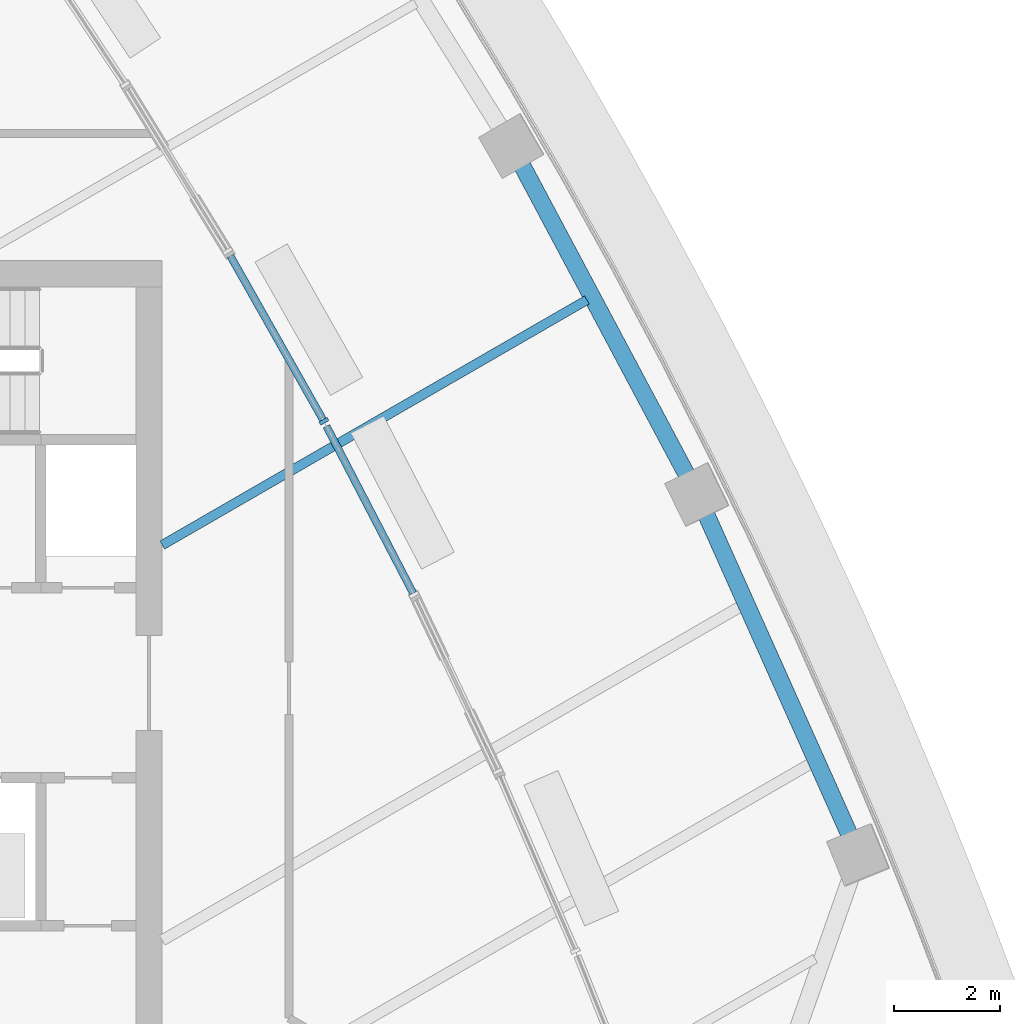
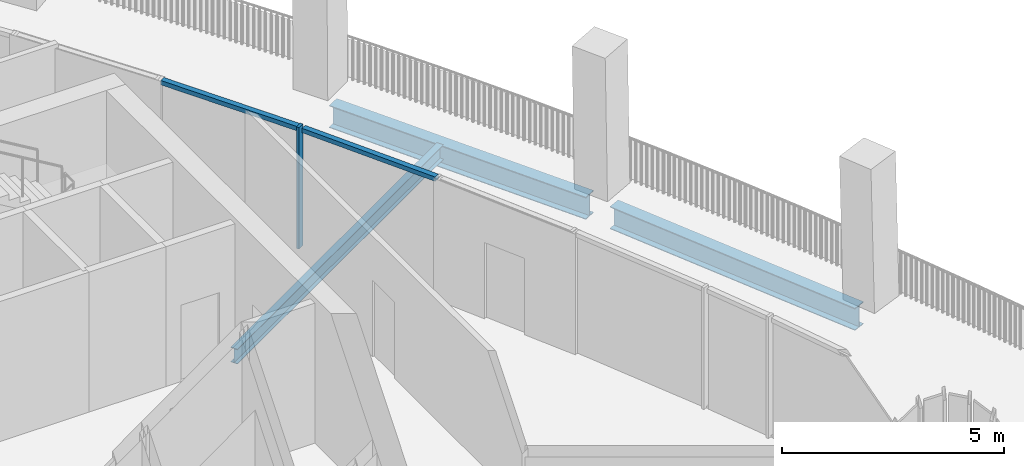
# One storey, part 5 of 20: 3 beams, 3 members, 2 elements without a shape of their own.
"""IFC4 building model written with IfcOpenShell, lengths in metres."""

import ifcopenshell
import ifcopenshell.guid

model = None  # the IFC model being written
_history = None  # IfcOwnerHistory: only IFC2X3 demands one
_inside = {}  # id of a spatial element -> (the spatial element, [elements in it])
_under = {}  # id of a project, library or spatial element -> (it, [spatial elements below it])
_declared = {}  # id of a project -> (the project, [libraries it declares])
_typed = {}  # id of a type object -> (the type object, [elements of that type])
_made_of = {}  # id of a material, layer set ... -> (it, [elements and type objects made of it])


def new_model(schema):
    """Start an empty IFC model of exactly this schema.

    Asked for "IFC4X3", IfcOpenShell would pick the latest addendum, in which some entities
    have other attributes; the version numbers below select the first issue.
    IFC2X3 requires an IfcOwnerHistory on every rooted entity: one is made here for all.
    """
    global model, _history
    if schema == "IFC4X3":
        model = ifcopenshell.file(schema_version=(4, 3, 0, 0))
    else:
        model = ifcopenshell.file(schema=schema)
    _inside.clear()
    _under.clear()
    _declared.clear()
    _typed.clear()
    _made_of.clear()
    _history = None
    if model.schema == "IFC2X3":
        org = make("IfcOrganization", Name="unknown")
        user = make(
            "IfcPersonAndOrganization",
            ThePerson=make("IfcPerson", FamilyName="unknown"),
            TheOrganization=org,
        )
        app = make(
            "IfcApplication",
            ApplicationDeveloper=org,
            Version="unknown",
            ApplicationFullName="unknown",
            ApplicationIdentifier="unknown",
        )
        _history = make(
            "IfcOwnerHistory",
            OwningUser=user,
            OwningApplication=app,
            ChangeAction="ADDED",
            CreationDate=0,
        )
    return model


def make(cls, **values):
    """One entity of the class cls with the attributes given. An attribute that is None is left unset."""
    return model.create_entity(
        cls, **{name: value for name, value in values.items() if value is not None}
    )


def rooted(cls, **values):
    """An entity with a GlobalId (a new one), such as an element, a storey or a relation."""
    return make(cls, GlobalId=ifcopenshell.guid.new(), OwnerHistory=_history, **values)


def si_unit(unit_type, name, prefix=None):
    """IfcSIUnit, for example si_unit("LENGTHUNIT", "METRE", prefix="MILLI")."""
    return make("IfcSIUnit", UnitType=unit_type, Prefix=prefix, Name=name)


def assignment(units):
    """IfcUnitAssignment: the units of a project."""
    return None if units is None else make("IfcUnitAssignment", Units=units)


def point(xyz):
    """IfcCartesianPoint."""
    return None if xyz is None else make("IfcCartesianPoint", Coordinates=xyz)


def direction(xyz):
    """IfcDirection."""
    return None if xyz is None else make("IfcDirection", DirectionRatios=xyz)


def frame(location, z_axis=None, x_axis=None):
    """IfcAxis2Placement3D, a coordinate frame: its origin and axes. An axis left out is left unset."""
    return make(
        "IfcAxis2Placement3D",
        Location=point(location),
        Axis=direction(z_axis),
        RefDirection=direction(x_axis),
    )


def frame_2d(location, x_axis=None):
    """IfcAxis2Placement2D, a coordinate frame in the plane: its origin and x axis."""
    return make(
        "IfcAxis2Placement2D", Location=point(location), RefDirection=direction(x_axis)
    )


def origin():
    """The frame at (0, 0, 0) with its axes left unset."""
    return frame((0.0, 0.0, 0.0))


def origin_2d():
    """The frame at (0, 0) in the plane with its x axis left unset."""
    return frame_2d((0.0, 0.0))


def place(relative_to, where):
    """IfcLocalPlacement: puts the frame where relative to a parent placement (None: the world)."""
    return make(
        "IfcLocalPlacement", PlacementRelTo=relative_to, RelativePlacement=where
    )


def context(
    kind, dimensions, precision=None, world=None, true_north=None, identifier=None
):
    """IfcGeometricRepresentationContext, for example the 3D "Model" context."""
    return make(
        "IfcGeometricRepresentationContext",
        ContextIdentifier=identifier,
        ContextType=kind,
        CoordinateSpaceDimension=dimensions,
        Precision=precision,
        WorldCoordinateSystem=world,
        TrueNorth=true_north,
    )


def subcontext(parent, identifier, kind, view, scale=None):
    """IfcGeometricRepresentationSubContext, for example "Body" below "Model"."""
    return make(
        "IfcGeometricRepresentationSubContext",
        ContextIdentifier=identifier,
        ContextType=kind,
        ParentContext=parent,
        TargetScale=scale,
        TargetView=view,
    )


def project(units=None, contexts=None):
    """IfcProject with its units and contexts."""
    return rooted(
        "IfcProject",
        Name="project",
        RepresentationContexts=contexts,
        UnitsInContext=assignment(units),
    )


def spatial(cls, under=None, at=None, **own):
    """A site, building, storey or space (cls), placed at a placement, below another one or the project."""
    s = rooted(cls, ObjectPlacement=at, **own)
    if under is not None:
        _under.setdefault(under.id(), (under, []))[1].append(s)
    return s


def profile(cls, at=None, kind="AREA", **sizes):
    """A parametric profile (cls). Its sizes go by their IFC names, for example OverallWidth=200.0."""
    return make(cls, ProfileType=kind, Position=at, **sizes)


def rectangle(**sizes):
    """IfcRectangleProfileDef."""
    return profile("IfcRectangleProfileDef", **sizes)


def i_section(**sizes):
    """IfcIShapeProfileDef."""
    return profile("IfcIShapeProfileDef", **sizes)


def extrude(swept, where, along, depth):
    """IfcExtrudedAreaSolid: the profile swept, set in the frame where, extruded along a direction by depth."""
    return make(
        "IfcExtrudedAreaSolid",
        SweptArea=swept,
        Position=where,
        ExtrudedDirection=direction(along),
        Depth=depth,
    )


def shape(context_of_items, identifier, shape_type, items):
    """IfcShapeRepresentation: the items that make up one representation, for example the "Body"."""
    return make(
        "IfcShapeRepresentation",
        ContextOfItems=context_of_items,
        RepresentationIdentifier=identifier,
        RepresentationType=shape_type,
        Items=items,
    )


def material(Name=None, Category=None):
    """IfcMaterial."""
    return make("IfcMaterial", Name=Name, Category=Category)


def layer(
    of_material, thickness, ventilated=None, Name=None, Category=None, Priority=None
):
    """IfcMaterialLayer: one layer of a wall or slab, of a material (None: an air gap)."""
    return make(
        "IfcMaterialLayer",
        Material=of_material,
        LayerThickness=thickness,
        IsVentilated=ventilated,
        Name=Name,
        Category=Category,
        Priority=Priority,
    )


def layer_set(layers, Name=None):
    """IfcMaterialLayerSet."""
    return make("IfcMaterialLayerSet", MaterialLayers=layers, LayerSetName=Name)


def material_profile(
    of_material, cross_section, Name=None, Category=None, Priority=None
):
    """IfcMaterialProfile: a cross section and its material."""
    return make(
        "IfcMaterialProfile",
        Name=Name,
        Material=of_material,
        Profile=cross_section,
        Priority=Priority,
        Category=Category,
    )


def profile_set(profiles, Name=None, composite=None):
    """IfcMaterialProfileSet."""
    return make(
        "IfcMaterialProfileSet",
        Name=Name,
        MaterialProfiles=profiles,
        CompositeProfile=composite,
    )


def made_of(thing, what):
    """Note that an element or type object is made of a material, layer set ...; save() writes the relation."""
    if what is not None:
        _made_of.setdefault(what.id(), (what, []))[1].append(thing)
    return thing


def type_object(cls, material=None, **own):
    """A type object (cls), such as IfcWallType, which elements share."""
    return made_of(rooted(cls, **own), material)


def element(
    cls,
    number,
    at=None,
    inside=None,
    cuts=None,
    type_object=None,
    material=None,
    context=None,
    identifier="Body",
    shape_type=None,
    held_by="IfcProductDefinitionShape",
    body=None,
    shapes=None,
    **own,
):
    """One element of the class cls, such as IfcWall. Its Tag is "e" and its number.

    at: its placement. inside: the storey or other place that contains it. cuts: it is an
    opening in that element (IfcRelVoidsElement). A single representation is given by context,
    identifier, shape_type and body (its items); several are given by shapes. held_by: the class
    of the entity that holds the representations. save() writes the other relations.
    """
    e = rooted(cls, Tag="e%d" % number, ObjectPlacement=at, **own)
    if body is not None:
        shapes = [shape(context, identifier, shape_type, body)]
    if shapes is not None:
        e.Representation = make(held_by, Representations=shapes)
    if inside is not None:
        _inside.setdefault(inside.id(), (inside, []))[1].append(e)
    if cuts is not None:
        rooted(
            "IfcRelVoidsElement", RelatingBuildingElement=cuts, RelatedOpeningElement=e
        )
    if type_object is not None:
        _typed.setdefault(type_object.id(), (type_object, []))[1].append(e)
    return made_of(e, material)


def aggregate(whole, parts):
    """IfcRelAggregates: a whole, such as a stair, and the parts it consists of."""
    return rooted("IfcRelAggregates", RelatingObject=whole, RelatedObjects=parts)


def save(model, path):
    """Write the relations noted so far, then the file.

    IfcRelAggregates (storeys below a building ...), IfcRelContainedInSpatialStructure (elements
    in a storey), IfcRelDefinesByType, IfcRelAssociatesMaterial and IfcRelDeclares: one each for
    every whole, place, type object, material and project.
    """
    for whole, parts in _under.values():
        aggregate(whole, parts)
    for where, things in _inside.values():
        rooted(
            "IfcRelContainedInSpatialStructure",
            RelatedElements=things,
            RelatingStructure=where,
        )
    for kind, things in _typed.values():
        rooted("IfcRelDefinesByType", RelatedObjects=things, RelatingType=kind)
    for what, things in _made_of.values():
        rooted("IfcRelAssociatesMaterial", RelatedObjects=things, RelatingMaterial=what)
    for by, libraries in _declared.values():
        rooted("IfcRelDeclares", RelatingContext=by, RelatedDefinitions=libraries)
    model.write(path)


model = new_model("IFC4")

# Units and contexts
model_context = context("Model", 3, precision=1e-05, world=origin(), true_north=direction((0.0, 1.0)))
body_context = subcontext(model_context, "Body", "Model", "MODEL_VIEW")
ifc_project = project(units=[si_unit("LENGTHUNIT", "METRE"), si_unit("AREAUNIT", "SQUARE_METRE"), si_unit("VOLUMEUNIT", "CUBIC_METRE"), si_unit("PLANEANGLEUNIT", "RADIAN"), si_unit("MASSUNIT", "GRAM", prefix="KILO")], contexts=[model_context])

# Site, building, storey
site_placement = place(None, origin())
site = spatial("IfcSite", under=ifc_project, at=site_placement, CompositionType="ELEMENT")
building_placement = place(site_placement, origin())
building = spatial("IfcBuilding", under=site, at=building_placement, Name="Sierra Prisma Convention Tower", CompositionType="ELEMENT")
storey_placement = place(building_placement, frame((0.0, 0.0, 275.0)))
storey = spatial("IfcBuildingStorey", under=building, at=storey_placement, Name="L62", CompositionType="ELEMENT", Elevation=275.0)

# Curtain wall, member
ifc_material_1 = material(Name="Aluminium and glass curtain wall", Category="aluminium")
ifc_layer = layer(ifc_material_1, 0.179931640625)
ifc_layer_set = layer_set([ifc_layer], Name="CW-6 Terrace recess curtain wall")
curtain_wall_type = type_object("IfcCurtainWallType", Name="CW-6 Terrace recess curtain wall", PredefinedType="NOTDEFINED", material=ifc_layer_set)
curtain_wall_1_placement = place(storey_placement, origin())
curtain_wall_1 = element("IfcCurtainWall", 1, at=curtain_wall_1_placement, inside=storey, type_object=curtain_wall_type, Name="CW-6 R26 L62", PredefinedType="NOTDEFINED")
ifc_material_2 = material(Name="Aluminium 6063-T6 bronze anodised", Category="aluminium")
ifc_material_profile_1 = material_profile(ifc_material_2, rectangle(XDim=0.179931640625, YDim=0.070068359375, at=origin_2d()), Name="ALU MULLION 70x180")
ifc_profile_set_1 = profile_set([ifc_material_profile_1], Name="Aluminium 6063-T6 bronze anodised")
member_type_1 = type_object("IfcMemberType", Name="CW mullion bronze", PredefinedType="MULLION", material=ifc_profile_set_1)
member_1_placement = place(storey_placement, frame((14.060302734375, 4.9521484375, 0.0), z_axis=(0.0, 0.0, 1.0), x_axis=(-0.870468038553, -0.492224942337, 0.0)))
member_1 = element("IfcMember", 2, at=member_1_placement, type_object=member_type_1, Name="CW-6 mullion R26.1", PredefinedType="MULLION", context=body_context, shape_type="SweptSolid", body=[
    extrude(rectangle(XDim=0.179931640625, YDim=0.070068359375, at=origin_2d()), origin(), (0.0, 0.0, 1.0), 3.340087890625),
])

curtain_wall_2_placement = place(storey_placement, origin())
curtain_wall_2 = element("IfcCurtainWall", 3, at=curtain_wall_2_placement, inside=storey, type_object=curtain_wall_type, Name="CW-6 R25 L62", PredefinedType="NOTDEFINED")
ifc_material_3 = material(Name="Aluminium 6063-T6 bronze anodised", Category="aluminium")
ifc_material_profile_2 = material_profile(ifc_material_3, rectangle(XDim=0.139892578125, YDim=0.1201171875, at=origin_2d()), Name="ALU TRANSOM 120x140")
ifc_profile_set_2 = profile_set([ifc_material_profile_2], Name="Aluminium 6063-T6 bronze anodised")
member_type_2 = type_object("IfcMemberType", Name="CW transom bronze", PredefinedType="USERDEFINED", material=ifc_profile_set_2)
member_2_placement = place(storey_placement, frame((15.7509765625, 1.6982421875, 3.280029296875), z_axis=(-0.460733250962, 0.887538659135, 0.0), x_axis=(-0.887538659135, -0.460733250962, 0.0)))
member_2 = element("IfcMember", 4, at=member_2_placement, type_object=member_type_2, Name="CW-6 transom R25.1", ObjectType="TRANSOM", PredefinedType="USERDEFINED", context=body_context, shape_type="SweptSolid", body=[
    extrude(rectangle(XDim=0.139892578125, YDim=0.1201171875, at=origin_2d()), origin(), (0.0, 0.0, 1.0), 3.56201171875),
])
aggregate(curtain_wall_2, [member_2])

# Member
member_3_placement = place(storey_placement, frame((14.043212890625, 4.982666015625, 3.280029296875), z_axis=(-0.49222210621, 0.870469642296, 0.0), x_axis=(-0.870469642296, -0.49222210621, 0.0)))
member_3 = element("IfcMember", 5, at=member_3_placement, type_object=member_type_2, Name="CW-6 transom R26.1", ObjectType="TRANSOM", PredefinedType="USERDEFINED", context=body_context, shape_type="SweptSolid", body=[
    extrude(rectangle(XDim=0.139892578125, YDim=0.1201171875, at=origin_2d()), origin(), (0.0, 0.0, 1.0), 3.562255859375),
])

aggregate(curtain_wall_1, [member_1, member_3])

# Beams
ifc_material_4 = material(Name="Steel ASTM A992 Gr 50", Category="steel")
ifc_material_profile_3 = material_profile(ifc_material_4, i_section(OverallWidth=0.177978515625, OverallDepth=0.406982421875, WebThickness=0.0078125, FlangeThickness=0.0126953125, at=origin_2d()), Name="W410x60")
ifc_profile_set_3 = profile_set([ifc_material_profile_3], Name="Steel ASTM A992 Gr 50")
beam_type_1 = type_object("IfcBeamType", Name="Floor joist W410x60", PredefinedType="JOIST", material=ifc_profile_set_3)
beam_1_placement = place(storey_placement, frame((19.04150390625, 7.251220703125, -0.50341796875), z_axis=(-0.866022707425, -0.500004670202, 0.0), x_axis=(0.500004670202, -0.866022707425, 0.0)))
element("IfcBeam", 6, at=beam_1_placement, inside=storey, type_object=beam_type_1, Name="Floor joist L62 NE06", PredefinedType="JOIST", context=body_context, shape_type="SweptSolid", body=[
    extrude(i_section(OverallWidth=0.177978515625, OverallDepth=0.406982421875, WebThickness=0.0078125, FlangeThickness=0.0126953125, at=origin_2d()), origin(), (0.0, 0.0, 1.0), 9.28564453125),
])
ifc_material_5 = material(Name="Steel ASTM A992 Gr 50", Category="steel")
ifc_material_profile_4 = material_profile(ifc_material_5, i_section(OverallWidth=0.324951171875, OverallDepth=0.615966796875, WebThickness=0.013916015625, FlangeThickness=0.021484375, at=origin_2d()), Name="W610x174")
ifc_profile_set_4 = profile_set([ifc_material_profile_4], Name="Steel ASTM A992 Gr 50")
beam_type_2 = type_object("IfcBeamType", Name="Spandrel beam W610x174", PredefinedType="BEAM", material=ifc_profile_set_4)
beam_2_placement = place(storey_placement, frame((24.05224609375, -2.963623046875, -0.60791015625), z_axis=(-0.40835193566, 0.912824570574, 0.0), x_axis=(-0.912824570574, -0.40835193566, 0.0)))
element("IfcBeam", 7, at=beam_2_placement, inside=storey, type_object=beam_type_2, Name="Spandrel L62-08", PredefinedType="BEAM", context=body_context, shape_type="SweptSolid", body=[
    extrude(i_section(OverallWidth=0.324951171875, OverallDepth=0.615966796875, WebThickness=0.013916015625, FlangeThickness=0.021484375, at=origin_2d()), origin(), (0.0, 0.0, 1.0), 6.822265625),
])
beam_3_placement = place(storey_placement, frame((20.976318359375, 3.85693359375, -0.60791015625), z_axis=(-0.469971423012, 0.882681630914, 0.0), x_axis=(-0.882681630914, -0.469971423012, 0.0)))
element("IfcBeam", 8, at=beam_3_placement, inside=storey, type_object=beam_type_2, Name="Spandrel L62-09", PredefinedType="BEAM", context=body_context, shape_type="SweptSolid", body=[
    extrude(i_section(OverallWidth=0.324951171875, OverallDepth=0.615966796875, WebThickness=0.013916015625, FlangeThickness=0.021484375, at=origin_2d()), origin(), (0.0, 0.0, 1.0), 6.82177734375),
])

save(model, "model.ifc")
